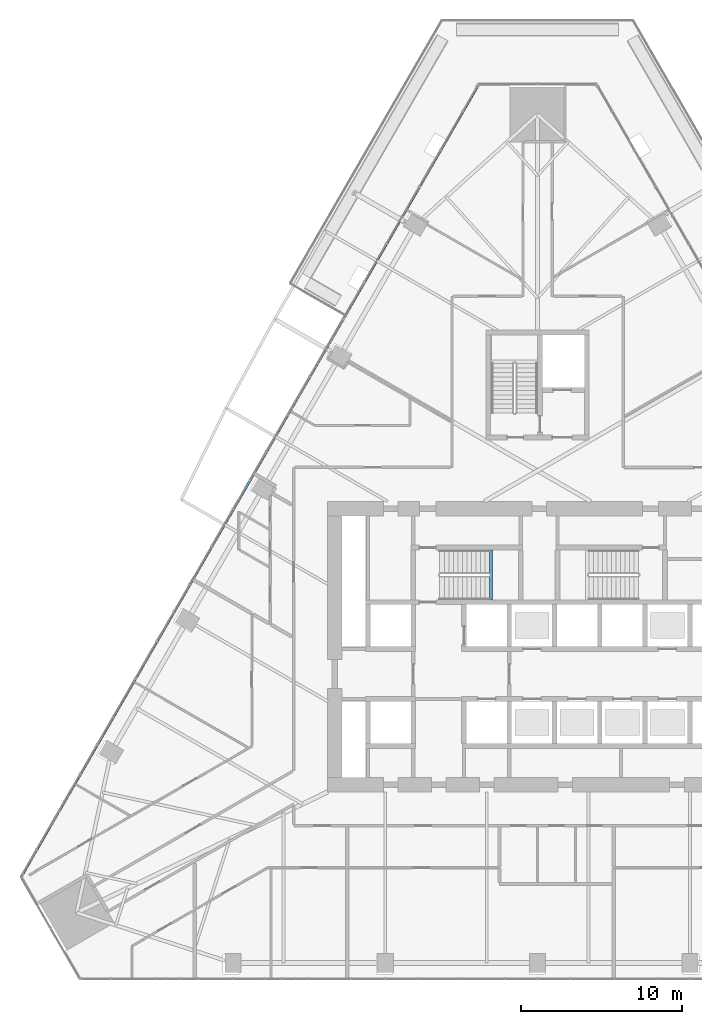
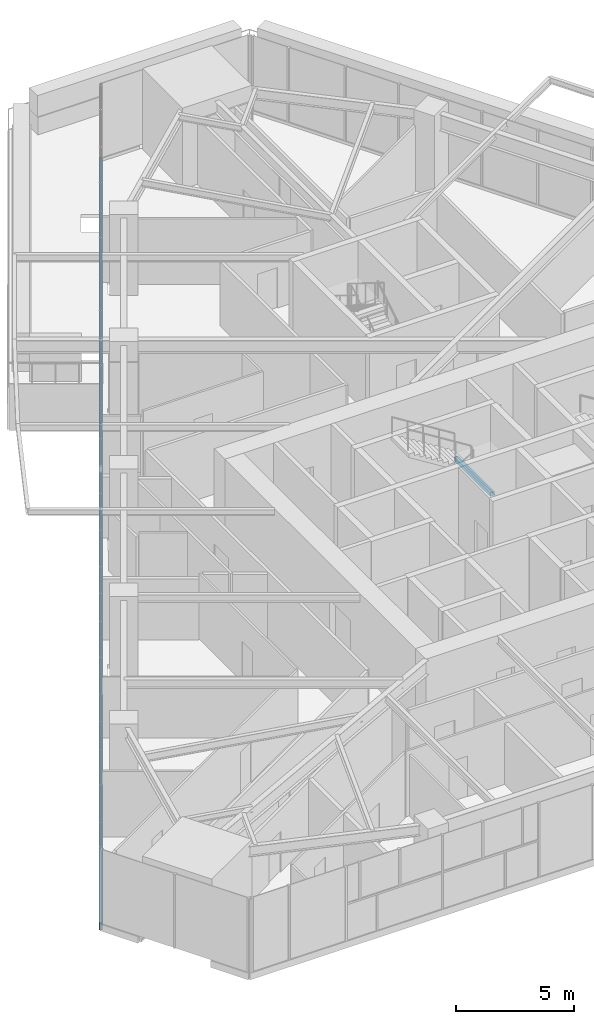
# One storey, part 5 of 29: 1 beam, 1 member, 1 element without a shape of its own.
"""IFC4 building model written with IfcOpenShell, lengths in metres."""

from ifc_helpers import new_model, si_unit, direction, frame, origin, origin_2d, place, context, subcontext, project, spatial, rectangle, extrude, material, layer, layer_set, material_profile, profile_set, type_object, element, aggregate, save


model = new_model("IFC4")

# Units and contexts
model_context = context("Model", 3, precision=1e-05, world=origin(), true_north=direction((0.0, 1.0)))
body_context = subcontext(model_context, "Body", "Model", "MODEL_VIEW")
ifc_project = project(units=[si_unit("LENGTHUNIT", "METRE"), si_unit("AREAUNIT", "SQUARE_METRE"), si_unit("VOLUMEUNIT", "CUBIC_METRE"), si_unit("PLANEANGLEUNIT", "RADIAN"), si_unit("MASSUNIT", "GRAM", prefix="KILO")], contexts=[model_context])

# Site, building, storey
site_placement = place(None, origin())
site = spatial("IfcSite", under=ifc_project, at=site_placement, CompositionType="ELEMENT")
building_placement = place(site_placement, origin())
building = spatial("IfcBuilding", under=site, at=building_placement, Name="Firuza Gate Tower and Library", CompositionType="ELEMENT")
storey_placement = place(building_placement, frame((0.0, 0.0, 82.0)))
storey = spatial("IfcBuildingStorey", under=building, at=storey_placement, Name="L18", CompositionType="ELEMENT", Elevation=82.0)

# Curtain wall, member
ifc_material_1 = material(Name="Aluminium 6063-T6", Category="aluminium")
ifc_layer = layer(ifc_material_1, 0.14990234375)
ifc_layer_set = layer_set([ifc_layer], Name="Unitised curtain wall, offices")
curtain_wall_type = type_object("IfcCurtainWallType", Name="Unitised curtain wall, offices", PredefinedType="NOTDEFINED", material=ifc_layer_set)
curtain_wall_placement = place(storey_placement, origin())
curtain_wall = element("IfcCurtainWall", 1, at=curtain_wall_placement, inside=storey, type_object=curtain_wall_type, Name="CW1 L18 W face", PredefinedType="NOTDEFINED")
ifc_material_2 = material(Name="Aluminium 6063-T6", Category="aluminium")
ifc_material_profile_1 = material_profile(ifc_material_2, rectangle(XDim=0.14990234375, YDim=0.35009765625, at=origin_2d()))
ifc_profile_set_1 = profile_set([ifc_material_profile_1], Name="Aluminium 6063-T6")
member_type = type_object("IfcMemberType", Name="Curtain wall transom 350x150", PredefinedType="USERDEFINED", material=ifc_profile_set_1)
member_placement = place(storey_placement, frame((71.356689453125, 109.84130859375, -0.02490234375), z_axis=(-0.500000611944, -0.866025050478, 0.0), x_axis=(0.866025050478, -0.500000611944, 0.0)))
member = element("IfcMember", 2, at=member_placement, type_object=member_type, Name="Transom", ObjectType="TRANSOM", PredefinedType="USERDEFINED", context=body_context, shape_type="SweptSolid", body=[
    extrude(rectangle(XDim=0.14990234375, YDim=0.35009765625, at=origin_2d()), origin(), (0.0, 0.0, 1.0), 56.70361328125),
])
aggregate(curtain_wall, [member])

# Beam
ifc_material_3 = material(Name="Concrete C35/45", Category="concrete")
ifc_material_profile_2 = material_profile(ifc_material_3, rectangle(XDim=0.199951171875, YDim=0.199951171875, at=origin_2d()))
ifc_profile_set_2 = profile_set([ifc_material_profile_2], Name="Concrete C35/45")
beam_type = type_object("IfcBeamType", Name="Stair landing bearer 200x200", PredefinedType="BEAM", material=ifc_profile_set_2)
beam_placement = place(storey_placement, frame((72.1201171875, 77.89990234375, 1.800048828125), z_axis=(0.0, 1.0, 0.0), x_axis=(-1.0, 0.0, 0.0)))
element("IfcBeam", 3, at=beam_placement, inside=storey, type_object=beam_type, Name="Landing bearer L18 stair 1", PredefinedType="BEAM", context=body_context, shape_type="SweptSolid", body=[
    extrude(rectangle(XDim=0.199951171875, YDim=0.199951171875, at=origin_2d()), origin(), (0.0, 0.0, 1.0), 3.080078125),
])

save(model, "model.ifc")
